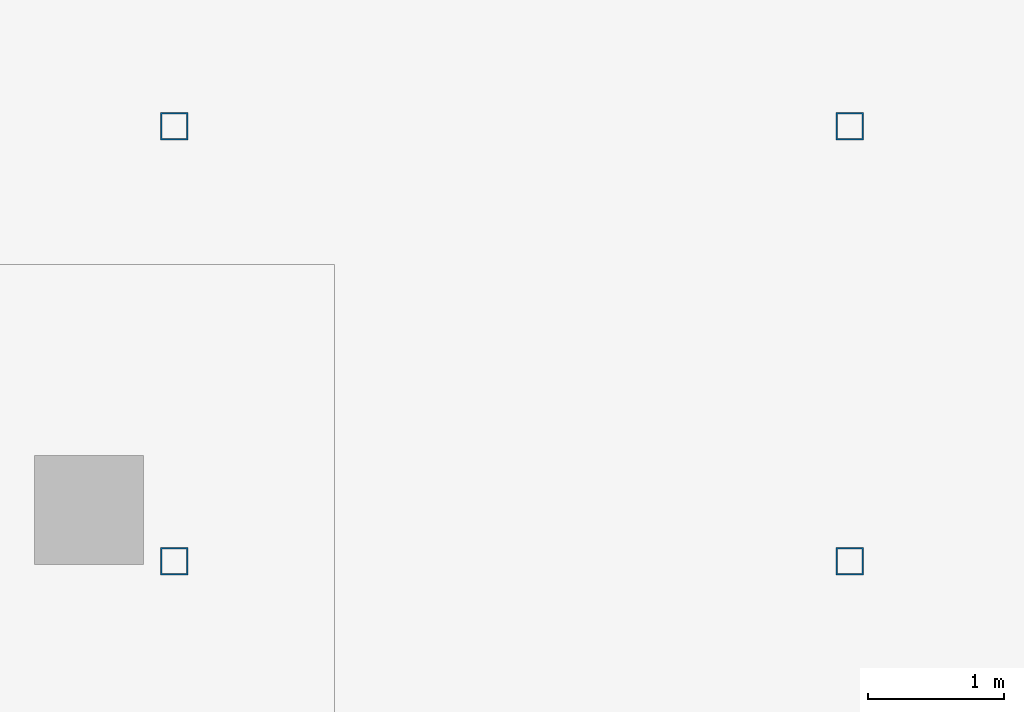
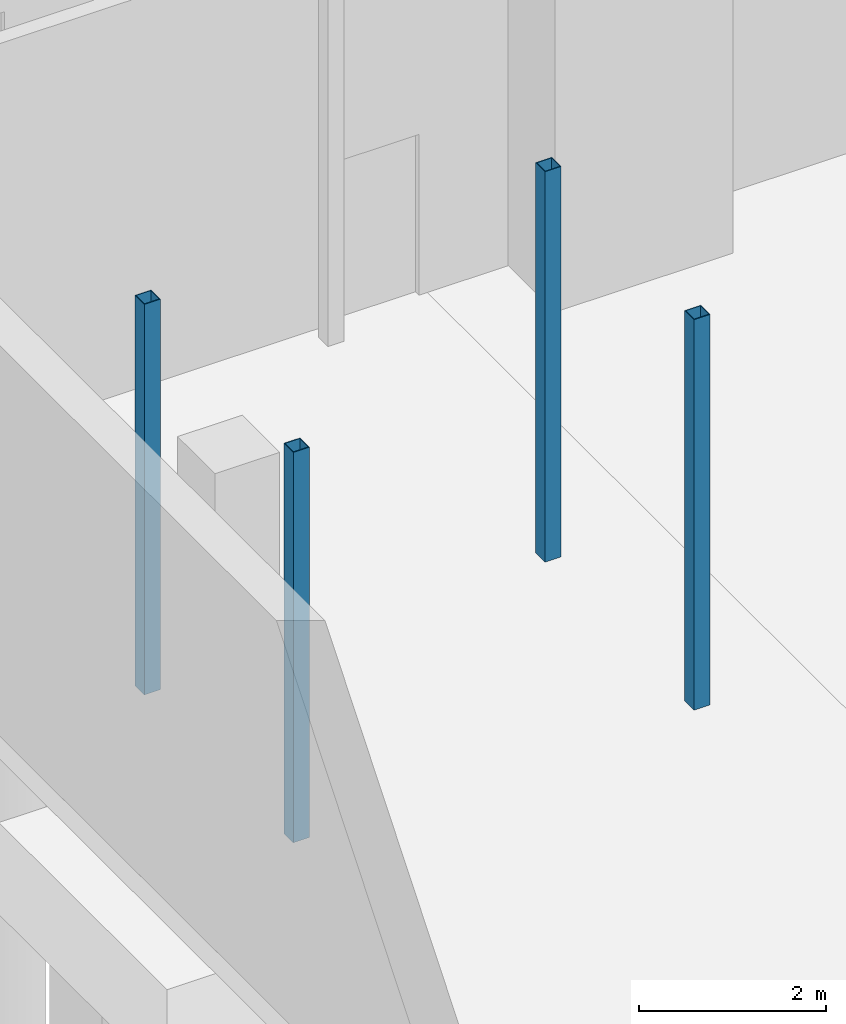
# One storey, part 2 of 18: 4 columns.
"""IFC4 building model written with IfcOpenShell, lengths in metres."""

from ifc_helpers import new_model, si_unit, direction, frame, origin, origin_2d, place, context, subcontext, project, spatial, hollow_rectangle, extrude, material, material_profile, profile_set, type_object, element, save


model = new_model("IFC4")

# Units and contexts
model_context = context("Model", 3, precision=1e-05, world=origin(), true_north=direction((0.0, 1.0)))
body_context = subcontext(model_context, "Body", "Model", "MODEL_VIEW")
ifc_project = project(units=[si_unit("LENGTHUNIT", "METRE"), si_unit("AREAUNIT", "SQUARE_METRE"), si_unit("VOLUMEUNIT", "CUBIC_METRE"), si_unit("PLANEANGLEUNIT", "RADIAN"), si_unit("MASSUNIT", "GRAM", prefix="KILO")], contexts=[model_context])

# Site, building, storey
site_placement = place(None, origin())
site = spatial("IfcSite", under=ifc_project, at=site_placement, CompositionType="ELEMENT")
building_placement = place(site_placement, origin())
building = spatial("IfcBuilding", under=site, at=building_placement, Name="Dunama Terrace Hotel", CompositionType="ELEMENT")
storey_placement = place(building_placement, frame((0.0, 0.0, -5.39990234375)))
storey = spatial("IfcBuildingStorey", under=building, at=storey_placement, Name="B1", CompositionType="ELEMENT", Elevation=-5.39990234375)

# Columns
ifc_material = material(Name="Steel S355", Category="steel")
ifc_material_profile = material_profile(ifc_material, hollow_rectangle(XDim=0.199951171875, YDim=0.199951171875, WallThickness=0.010009765625, at=origin_2d()), Name="SHS 200x200x10")
ifc_profile_set = profile_set([ifc_material_profile], Name="Steel S355")
column_type = type_object("IfcColumnType", Name="Stair post SHS 200x200x10", PredefinedType="COLUMN", material=ifc_profile_set)
for number, where, z_axis, x_axis, name in (
    (1, (-7.77490234375, 3.41259765625, 0.0), (0.0, 0.0, 1.0), (1.0, 0.0, 0.0), "Stair post P4 B1 -7.78/+3.41"),
    (2, (-2.824951171875, 3.41259765625, 0.0), (0.0, 0.0, 1.0), (1.0, 0.0, 0.0), "Stair post P4 B1 -2.83/+3.41"),
    (3, (-7.77490234375, 0.22509765625, 0.0), (0.0, 0.0, 1.0), (1.0, 0.0, 0.0), "Stair post P4 B1 -7.78/+0.23"),
    (4, (-2.824951171875, 0.22509765625, 0.0), (0.0, 0.0, 1.0), (1.0, 0.0, 0.0), "Stair post P4 B1 -2.83/+0.23"),
):
    element("IfcColumn", number, at=place(storey_placement, frame(where, z_axis=z_axis, x_axis=x_axis)), inside=storey, type_object=column_type, Name=name, PredefinedType="COLUMN", context=body_context, shape_type="SweptSolid", body=[
        extrude(hollow_rectangle(XDim=0.199951171875, YDim=0.199951171875, WallThickness=0.010009765625, at=origin_2d()), origin(), (0.0, 0.0, 1.0), 5.099853515625),
    ])

save(model, "model.ifc")
